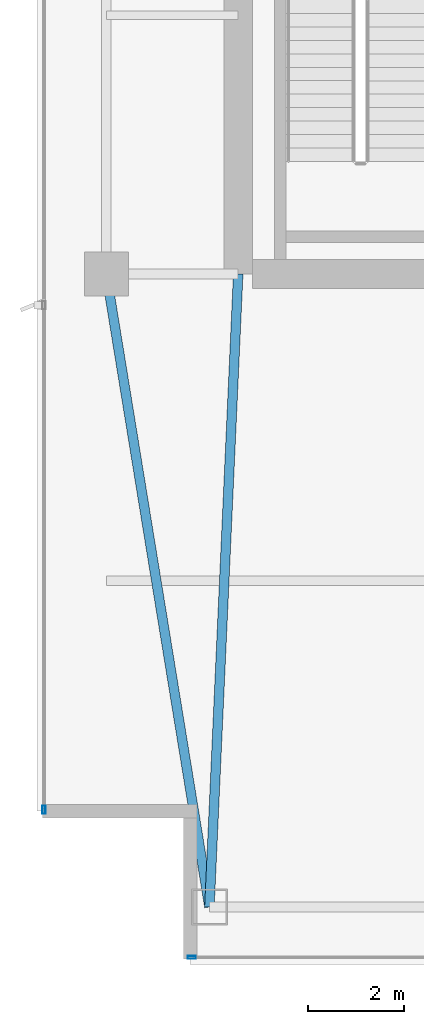
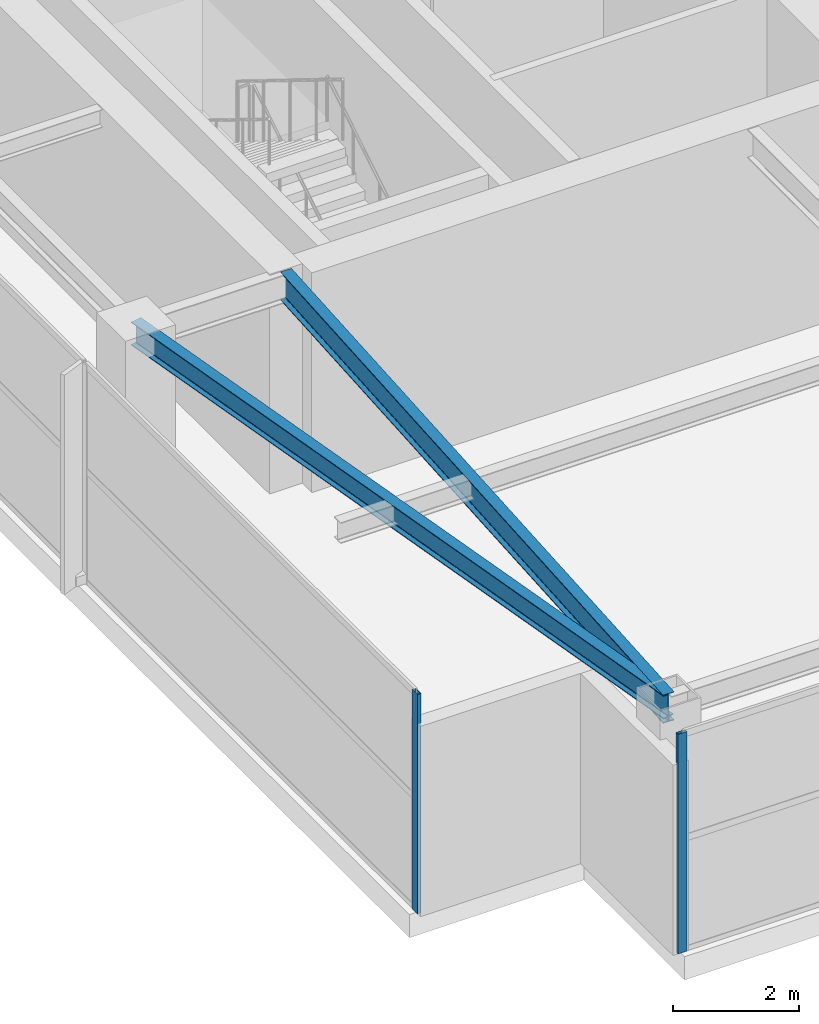
# One storey, part 2 of 25: 2 beams, 2 members, 2 elements without a shape of their own.
"""IFC4 building model written with IfcOpenShell, lengths in metres."""

from ifc_helpers import new_model, si_unit, direction, frame, origin, origin_2d, place, context, subcontext, project, spatial, hollow_rectangle, i_section, extrude, material, layer, layer_set, material_profile, profile_set, type_object, element, aggregate, save


model = new_model("IFC4")

# Units and contexts
model_context = context("Model", 3, precision=1e-05, world=origin(), true_north=direction((0.0, 1.0)))
body_context = subcontext(model_context, "Body", "Model", "MODEL_VIEW")
ifc_project = project(units=[si_unit("LENGTHUNIT", "METRE"), si_unit("AREAUNIT", "SQUARE_METRE"), si_unit("VOLUMEUNIT", "CUBIC_METRE"), si_unit("PLANEANGLEUNIT", "RADIAN"), si_unit("MASSUNIT", "GRAM", prefix="KILO")], contexts=[model_context])

# Site, building, storey
site_placement = place(None, origin())
site = spatial("IfcSite", under=ifc_project, at=site_placement, CompositionType="ELEMENT")
building_placement = place(site_placement, origin())
building = spatial("IfcBuilding", under=site, at=building_placement, Name="Calvorn Quay Hotel", CompositionType="ELEMENT")
storey_placement = place(building_placement, frame((0.0, 0.0, 307.0)))
storey = spatial("IfcBuildingStorey", under=building, at=storey_placement, Name="L76", CompositionType="ELEMENT", Elevation=307.0)

# Beams
ifc_material_1 = material(Name="Steel Q355B", Category="steel")
ifc_material_profile_1 = material_profile(ifc_material_1, i_section(OverallWidth=0.199951171875, OverallDepth=0.550048828125, WebThickness=0.010009765625, FlangeThickness=0.01611328125, FilletRadius=0.01806640625, at=origin_2d()), Name="HN550x200x10x16")
ifc_profile_set_1 = profile_set([ifc_material_profile_1], Name="Steel Q355B")
beam_type_1 = type_object("IfcBeamType", Name="BM-GIRD-UPP", PredefinedType="BEAM", material=ifc_profile_set_1)
beam_1_placement = place(storey_placement, frame((3.60009765625, 3.60009765625, 3.965087890625), z_axis=(0.045396765494, 0.998969035397, 0.0), x_axis=(-0.998969035397, 0.045396765494, 0.0)))
element("IfcBeam", 1, at=beam_1_placement, inside=storey, type_object=beam_type_1, Name="Beam BG-L76-W0", PredefinedType="BEAM", context=body_context, shape_type="SweptSolid", body=[
    extrude(i_section(OverallWidth=0.199951171875, OverallDepth=0.550048828125, WebThickness=0.010009765625, FlangeThickness=0.01611328125, FilletRadius=0.01806640625, at=origin_2d()), origin(), (0.0, 0.0, 1.0), 13.213623046875),
])
ifc_material_2 = material(Name="Steel Q355B", Category="steel")
ifc_material_profile_2 = material_profile(ifc_material_2, i_section(OverallWidth=0.199951171875, OverallDepth=0.449951171875, WebThickness=0.009033203125, FlangeThickness=0.013916015625, FilletRadius=0.01611328125, at=origin_2d()), Name="HN450x200x9x14")
ifc_profile_set_2 = profile_set([ifc_material_profile_2], Name="Steel Q355B")
beam_type_2 = type_object("IfcBeamType", Name="BM-SPANDREL-Z3", PredefinedType="SPANDREL", material=ifc_profile_set_2)
beam_2_placement = place(storey_placement, frame((3.60009765625, 3.60009765625, 4.014892578125), z_axis=(-0.16077155054, 0.986991645627, 0.0), x_axis=(-0.986991645627, -0.16077155054, 0.0)))
element("IfcBeam", 2, at=beam_2_placement, inside=storey, type_object=beam_type_2, Name="Beam BSP-L76-W1", PredefinedType="SPANDREL", context=body_context, shape_type="SweptSolid", body=[
    extrude(i_section(OverallWidth=0.199951171875, OverallDepth=0.449951171875, WebThickness=0.009033203125, FlangeThickness=0.013916015625, FilletRadius=0.01611328125, at=origin_2d()), origin(), (0.0, 0.0, 1.0), 13.3740234375),
])

# Curtain wall, member
ifc_material_3 = material(Name="Champagne Bronze Anodised Aluminium and Low-E Glass", Category="aluminium")
ifc_layer = layer(ifc_material_3, 0.219970703125)
ifc_layer_set = layer_set([ifc_layer], Name="CW-SYS-Z4")
curtain_wall_type = type_object("IfcCurtainWallType", Name="CW-SYS-Z4", PredefinedType="NOTDEFINED", material=ifc_layer_set)
curtain_wall_1_placement = place(storey_placement, origin())
curtain_wall_1 = element("IfcCurtainWall", 3, at=curtain_wall_1_placement, inside=storey, type_object=curtain_wall_type, Name="Tower West Curtain Wall (L76)", PredefinedType="NOTDEFINED")
ifc_material_4 = material(Name="Champagne Bronze Anodised Aluminium 6063-T6", Category="aluminium")
ifc_material_profile_3 = material_profile(ifc_material_4, hollow_rectangle(XDim=0.06494140625, YDim=0.169921875, WallThickness=0.00341796875, at=origin_2d()), Name="ALU-M170x65x3.5")
ifc_profile_set_3 = profile_set([ifc_material_profile_3], Name="Champagne Bronze Anodised Aluminium 6063-T6")
member_type = type_object("IfcMemberType", Name="CW-SYS-Z4-MUL", PredefinedType="MULLION", material=ifc_profile_set_3)
member_1_placement = place(storey_placement, frame((0.14990234375, 5.6298828125, 0.0), z_axis=(0.0, 0.0, 1.0), x_axis=(-1.0, 0.0, 0.0)))
member_1 = element("IfcMember", 4, at=member_1_placement, type_object=member_type, Name="CW-L76-W mullion 1", PredefinedType="MULLION", context=body_context, shape_type="SweptSolid", body=[
    extrude(hollow_rectangle(XDim=0.06494140625, YDim=0.169921875, WallThickness=0.00341796875, at=origin_2d()), origin(), (0.0, 0.0, 1.0), 4.260009765625),
])
aggregate(curtain_wall_1, [member_1])

curtain_wall_2_placement = place(storey_placement, origin())
curtain_wall_2 = element("IfcCurtainWall", 5, at=curtain_wall_2_placement, inside=storey, type_object=curtain_wall_type, Name="Tower South Waterfront Curtain Wall (L76)", PredefinedType="NOTDEFINED")
member_2_placement = place(storey_placement, frame((3.22998046875, 2.550048828125, 0.0), z_axis=(0.0, 0.0, 1.0), x_axis=(0.0, 1.0, 0.0)))
member_2 = element("IfcMember", 6, at=member_2_placement, type_object=member_type, Name="CW-L76-S mullion 1", PredefinedType="MULLION", context=body_context, shape_type="SweptSolid", body=[
    extrude(hollow_rectangle(XDim=0.06494140625, YDim=0.169921875, WallThickness=0.00341796875, at=origin_2d()), origin(), (0.0, 0.0, 1.0), 4.260009765625),
])
aggregate(curtain_wall_2, [member_2])

save(model, "model.ifc")
